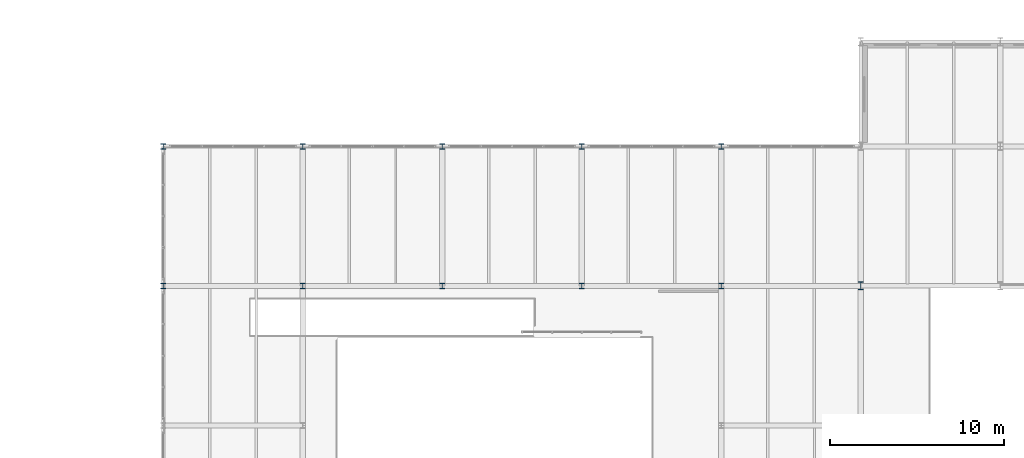
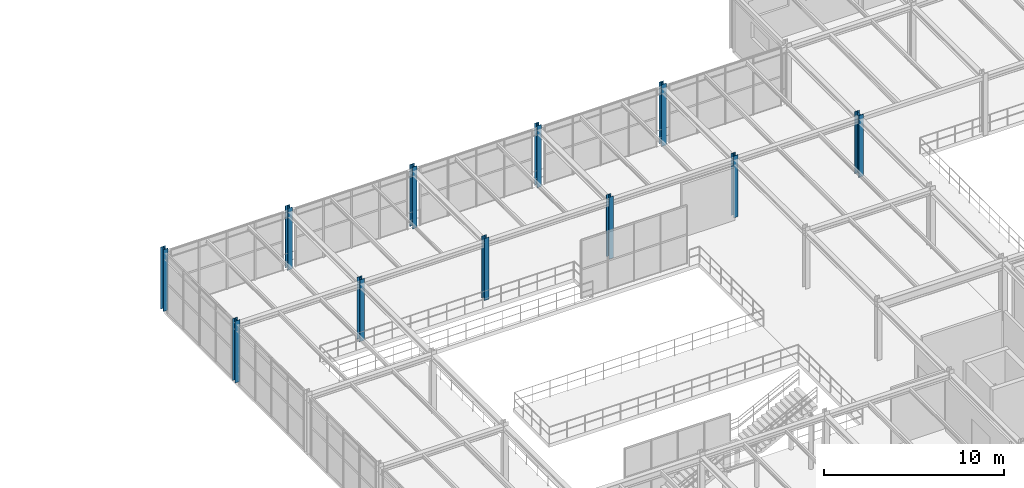
# One storey, part 4 of 124: 11 columns.
"""IFC4 building model written with IfcOpenShell, lengths in metres."""

from ifc_helpers import new_model, si_unit, direction, frame, origin, origin_2d, place, context, subcontext, project, spatial, i_section, extrude, material, material_profile, profile_set, type_object, element, save


model = new_model("IFC4")

# Units and contexts
model_context = context("Model", 3, precision=1e-05, world=origin(), true_north=direction((0.0, 1.0)))
body_context = subcontext(model_context, "Body", "Model", "MODEL_VIEW")
ifc_project = project(units=[si_unit("LENGTHUNIT", "METRE"), si_unit("AREAUNIT", "SQUARE_METRE"), si_unit("VOLUMEUNIT", "CUBIC_METRE"), si_unit("PLANEANGLEUNIT", "RADIAN"), si_unit("MASSUNIT", "GRAM", prefix="KILO")], contexts=[model_context])

# Site, building, storey
site_placement = place(None, origin())
site = spatial("IfcSite", under=ifc_project, at=site_placement, CompositionType="ELEMENT")
building_placement = place(site_placement, origin())
building = spatial("IfcBuilding", under=site, at=building_placement, Name="Sundkrona Museum", CompositionType="ELEMENT")
storey_placement = place(building_placement, frame((0.0, 0.0, 17.60009765625)))
storey = spatial("IfcBuildingStorey", under=building, at=storey_placement, Name="L03", CompositionType="ELEMENT", Elevation=17.60009765625)

# Columns
ifc_material = material(Name="Steel S355J2", Category="steel")
ifc_material_profile_1 = material_profile(ifc_material, i_section(OverallWidth=0.300048828125, OverallDepth=0.300048828125, WebThickness=0.010986328125, FlangeThickness=0.01904296875, FilletRadius=0.027099609375, at=origin_2d()), Name="HEB 300")
ifc_profile_set_1 = profile_set([ifc_material_profile_1], Name="Steel S355J2")
column_type_1 = type_object("IfcColumnType", Name="C-HEB300", PredefinedType="COLUMN", material=ifc_profile_set_1)
for number, where, z_axis, x_axis, name in (
    (1, (80.0, 32.0, 0.0), (0.0, 0.0, 1.0), (1.0, 0.0, 0.0), "L03 Column E/11"),
    (2, (80.0, 40.0, 0.0), (0.0, 0.0, 1.0), (1.0, 0.0, 0.0), "L03 Column F/11"),
    (3, (88.0, 32.0, 0.0), (0.0, 0.0, 1.0), (1.0, 0.0, 0.0), "L03 Column E/12"),
    (4, (88.0, 40.0, 0.0), (0.0, 0.0, 1.0), (1.0, 0.0, 0.0), "L03 Column F/12"),
    (5, (96.0, 32.0, 0.0), (0.0, 0.0, 1.0), (1.0, 0.0, 0.0), "L03 Column E/13"),
    (6, (96.0, 40.0, 0.0), (0.0, 0.0, 1.0), (1.0, 0.0, 0.0), "L03 Column F/13"),
    (7, (104.0, 32.0, 0.0), (0.0, 0.0, 1.0), (1.0, 0.0, 0.0), "L03 Column E/14"),
    (8, (104.0, 40.0, 0.0), (0.0, 0.0, 1.0), (1.0, 0.0, 0.0), "L03 Column F/14"),
    (9, (112.0, 32.0, 0.0), (0.0, 0.0, 1.0), (1.0, 0.0, 0.0), "L03 Column E/15"),
    (10, (112.0, 40.0, 0.0), (0.0, 0.0, 1.0), (1.0, 0.0, 0.0), "L03 Column F/15"),
):
    element("IfcColumn", number, at=place(storey_placement, frame(where, z_axis=z_axis, x_axis=x_axis)), inside=storey, type_object=column_type_1, Name=name, PredefinedType="COLUMN", context=body_context, shape_type="SweptSolid", body=[
        extrude(i_section(OverallWidth=0.300048828125, OverallDepth=0.300048828125, WebThickness=0.010986328125, FlangeThickness=0.01904296875, FilletRadius=0.027099609375, at=origin_2d()), origin(), (0.0, 0.0, 1.0), 4.199951171875),
    ])
ifc_material_profile_2 = material_profile(ifc_material, i_section(OverallWidth=0.300048828125, OverallDepth=0.449951171875, WebThickness=0.013916015625, FlangeThickness=0.02587890625, FilletRadius=0.027099609375, at=origin_2d()), Name="HEB 450")
ifc_profile_set_2 = profile_set([ifc_material_profile_2], Name="Steel S355J2")
column_type_2 = type_object("IfcColumnType", Name="C-HEB450", PredefinedType="COLUMN", material=ifc_profile_set_2)
column_placement = place(storey_placement, frame((120.0, 32.0, 0.0), z_axis=(0.0, 0.0, 1.0), x_axis=(1.0, 0.0, 0.0)))
element("IfcColumn", 11, at=column_placement, inside=storey, type_object=column_type_2, Name="L03 Column E/16", PredefinedType="COLUMN", context=body_context, shape_type="SweptSolid", body=[
    extrude(i_section(OverallWidth=0.300048828125, OverallDepth=0.449951171875, WebThickness=0.013916015625, FlangeThickness=0.02587890625, FilletRadius=0.027099609375, at=origin_2d()), origin(), (0.0, 0.0, 1.0), 4.199951171875),
])

save(model, "model.ifc")
